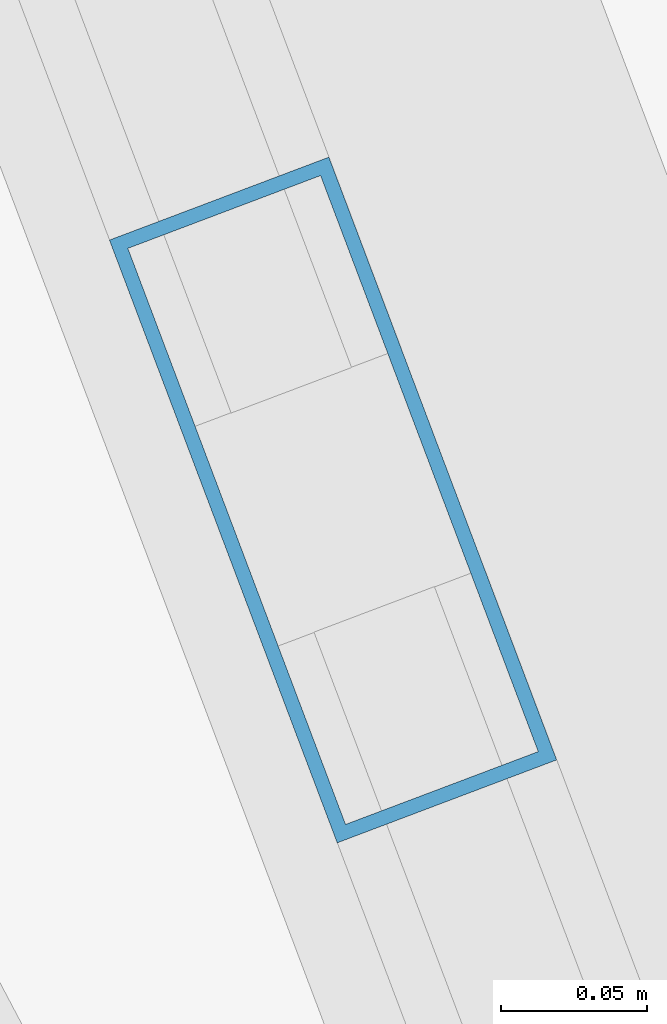
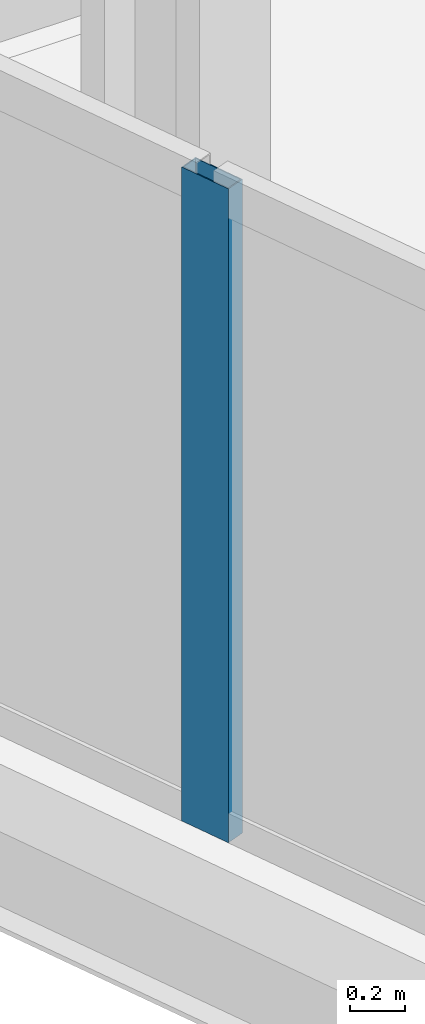
# One storey, part 7 of 37: 1 member, 1 element without a shape of its own.
"""IFC4 building model written with IfcOpenShell, lengths in metres."""

from ifc_helpers import new_model, si_unit, direction, frame, origin, origin_2d, place, context, subcontext, project, spatial, hollow_rectangle, extrude, material, material_profile, profile_set, type_object, element, aggregate, save


model = new_model("IFC4")

# Units and contexts
model_context = context("Model", 3, precision=1e-05, world=origin(), true_north=direction((0.0, 1.0)))
body_context = subcontext(model_context, "Body", "Model", "MODEL_VIEW")
ifc_project = project(units=[si_unit("LENGTHUNIT", "METRE"), si_unit("AREAUNIT", "SQUARE_METRE"), si_unit("VOLUMEUNIT", "CUBIC_METRE"), si_unit("PLANEANGLEUNIT", "RADIAN"), si_unit("MASSUNIT", "GRAM", prefix="KILO")], contexts=[model_context])

# Site, building, storey
site_placement = place(None, origin())
site = spatial("IfcSite", under=ifc_project, at=site_placement, CompositionType="ELEMENT")
building_placement = place(site_placement, origin())
building = spatial("IfcBuilding", under=site, at=building_placement, Name="Haldenkirk Collegiate Tower", CompositionType="ELEMENT")
storey_placement = place(building_placement, frame((0.0, 0.0, 97.949951171875)))
storey = spatial("IfcBuildingStorey", under=building, at=storey_placement, Name="L23", CompositionType="ELEMENT", Elevation=97.949951171875)

# Curtain wall, member
ifc_material = material(Name="Anodised architectural bronze aluminium", Category="aluminium")
curtain_wall_type = type_object("IfcCurtainWallType", Name="CW-SYS1-CONVEX-LOW", PredefinedType="USERDEFINED", material=ifc_material)
curtain_wall_placement = place(storey_placement, origin())
curtain_wall = element("IfcCurtainWall", 1, at=curtain_wall_placement, inside=storey, type_object=curtain_wall_type, Name="L23 Lower tower convex bronze-framed unitised curtain wall", ObjectType="UNITISED CURTAIN WALL", PredefinedType="USERDEFINED")
ifc_material_profile = material_profile(ifc_material, hollow_rectangle(XDim=0.080078125, YDim=0.219970703125, WallThickness=0.0048828125, at=origin_2d()), Name="CW-MUL-1A")
ifc_profile_set = profile_set([ifc_material_profile], Name="Anodised architectural bronze aluminium")
member_type = type_object("IfcMemberType", Name="CW-MUL-1A", PredefinedType="MULLION", material=ifc_profile_set)
member_placement = place(storey_placement, frame((8.200927734375, 26.239013671875, 0.0), z_axis=(0.0, 0.0, 1.0), x_axis=(-0.93544328227, -0.35347682478, 0.0)))
member = element("IfcMember", 2, at=member_placement, type_object=member_type, Name="CW-1A mullion 4", PredefinedType="MULLION", context=body_context, shape_type="SweptSolid", body=[
    extrude(hollow_rectangle(XDim=0.080078125, YDim=0.219970703125, WallThickness=0.0048828125, at=origin_2d()), origin(), (0.0, 0.0, 1.0), 2.901123046875),
])
aggregate(curtain_wall, [member])

save(model, "model.ifc")
